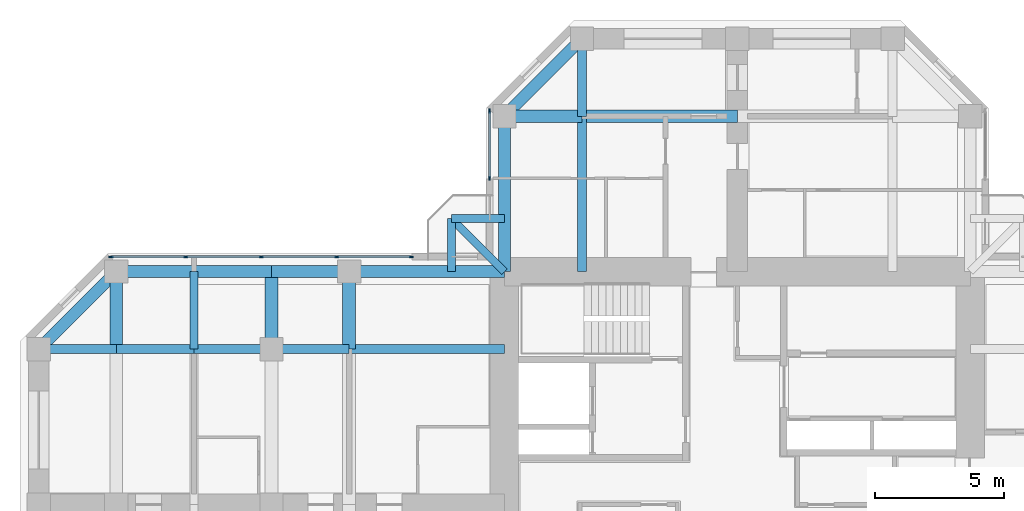
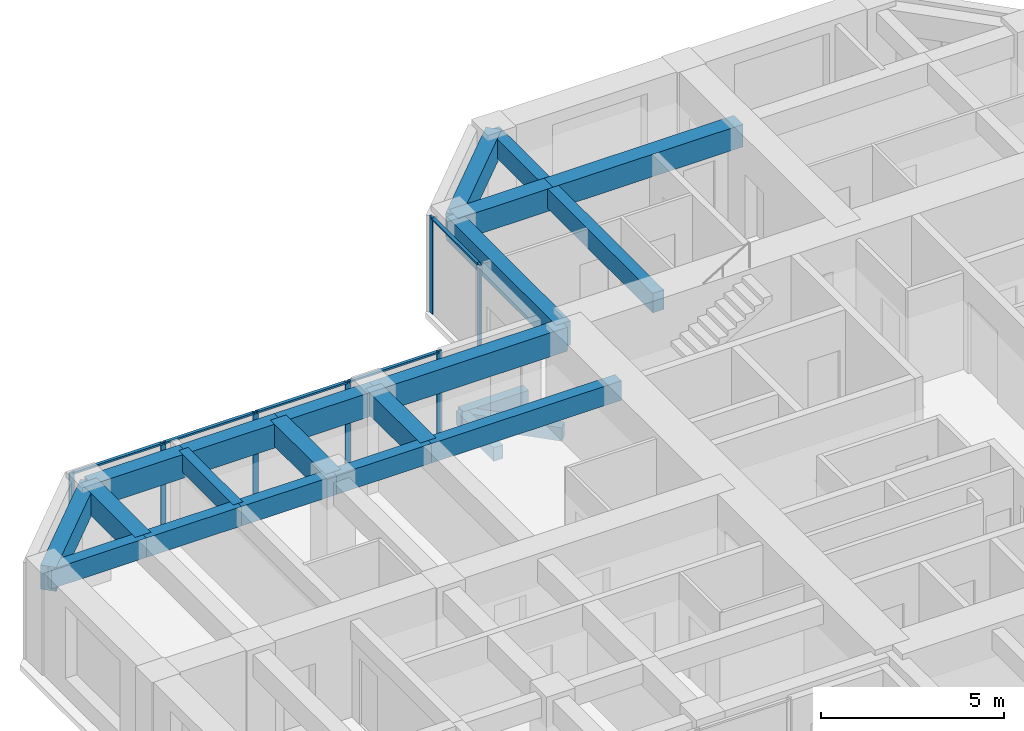
# One storey, part 5 of 14: 23 beams, 12 members, 2 elements without a shape of their own.
"""IFC4 building model written with IfcOpenShell, lengths in metres."""

from ifc_helpers import new_model, si_unit, direction, frame, origin, origin_2d, place, context, subcontext, project, spatial, rectangle, extrude, material, material_profile, profile_set, type_object, element, aggregate, save


model = new_model("IFC4")

# Units and contexts
model_context = context("Model", 3, precision=1e-05, world=origin(), true_north=direction((0.0, 1.0)))
body_context = subcontext(model_context, "Body", "Model", "MODEL_VIEW")
ifc_project = project(units=[si_unit("LENGTHUNIT", "METRE"), si_unit("AREAUNIT", "SQUARE_METRE"), si_unit("VOLUMEUNIT", "CUBIC_METRE"), si_unit("PLANEANGLEUNIT", "RADIAN"), si_unit("MASSUNIT", "GRAM", prefix="KILO")], contexts=[model_context])

# Site, building, storey
site_placement = place(None, origin())
site = spatial("IfcSite", under=ifc_project, at=site_placement, CompositionType="ELEMENT")
building_placement = place(site_placement, origin())
building = spatial("IfcBuilding", under=site, at=building_placement, Name="Torre Cruceta", CompositionType="ELEMENT")
storey_placement = place(building_placement, frame((0.0, 0.0, 206.89990234375)))
storey = spatial("IfcBuildingStorey", under=building, at=storey_placement, Name="L52", CompositionType="ELEMENT", Elevation=206.89990234375)

# Beams
ifc_material_1 = material(Name="Concrete G60 (fck 60 MPa)", Category="concrete")
ifc_material_profile_1 = material_profile(ifc_material_1, rectangle(XDim=0.300048828125, YDim=0.449951171875, at=origin_2d()), Name="RC 300X450")
ifc_profile_set_1 = profile_set([ifc_material_profile_1], Name="Concrete G60 (fck 60 MPa)")
beam_type_1 = type_object("IfcBeamType", Name="BALCONY CANTILEVER BEAM RC 300X450", PredefinedType="BEAM", material=ifc_profile_set_1)
beam_1_placement = place(storey_placement, frame((-9.0, 9.0, -0.40478515625), z_axis=(-0.707106781187, 0.707106781187, 0.0), x_axis=(-0.707106781187, -0.707106781187, 0.0)))
element("IfcBeam", 1, at=beam_1_placement, inside=storey, type_object=beam_type_1, Name="BB1 balcony beam L52 N", PredefinedType="BEAM", context=body_context, shape_type="SweptSolid", body=[
    extrude(rectangle(XDim=0.300048828125, YDim=0.449951171875, at=origin_2d()), origin(), (0.0, 0.0, 1.0), 2.89990234375),
])
for number, where, z_axis, x_axis, name in (
    (2, (-11.050537109375, 9.0, -0.40478515625), (0.0, 1.0, 0.0), (-1.0, 0.0, 0.0), "BB1 balcony edge beam L52 N-X"),
    (3, (-9.0, 11.050537109375, -0.40478515625), (-1.0, 0.0, 0.0), (0.0, -1.0, 0.0), "BB1 balcony edge beam L52 N-Y"),
):
    element("IfcBeam", number, at=place(storey_placement, frame(where, z_axis=z_axis, x_axis=x_axis)), inside=storey, type_object=beam_type_1, Name=name, PredefinedType="BEAM", context=body_context, shape_type="SweptSolid", body=[
        extrude(rectangle(XDim=0.300048828125, YDim=0.449951171875, at=origin_2d()), origin(), (0.0, 0.0, 1.0), 2.050537109375),
    ])
ifc_material_2 = material(Name="Concrete G60 (fck 60 MPa)", Category="concrete")
ifc_material_profile_2 = material_profile(ifc_material_2, rectangle(XDim=0.35009765625, YDim=0.64990234375, at=origin_2d()), Name="RC 350X650")
ifc_profile_set_2 = profile_set([ifc_material_profile_2], Name="Concrete G60 (fck 60 MPa)")
beam_type_2 = type_object("IfcBeamType", Name="COLUMN LINE BEAM RC 350X650", PredefinedType="BEAM", material=ifc_profile_set_2)
beam_2_placement = place(storey_placement, frame((-6.0, 9.0, 2.89501953125), z_axis=(0.0, 1.0, 0.0), x_axis=(-1.0, 0.0, 0.0)))
element("IfcBeam", 4, at=beam_2_placement, inside=storey, type_object=beam_type_2, Name="LB7 L52 N col+ 1", PredefinedType="BEAM", context=body_context, shape_type="SweptSolid", body=[
    extrude(rectangle(XDim=0.35009765625, YDim=0.64990234375, at=origin_2d()), origin(), (0.0, 0.0, 1.0), 6.0),
])
beam_3_placement = place(storey_placement, frame((-6.0, 15.0, 2.89501953125), z_axis=(0.0, 1.0, 0.0), x_axis=(-1.0, 0.0, 0.0)))
element("IfcBeam", 5, at=beam_3_placement, inside=storey, type_object=beam_type_2, Name="LB7 L52 N col+ 2", PredefinedType="BEAM", context=body_context, shape_type="SweptSolid", body=[
    extrude(rectangle(XDim=0.35009765625, YDim=0.64990234375, at=origin_2d()), origin(), (0.0, 0.0, 1.0), 3.0),
])
beam_4_placement = place(storey_placement, frame((-9.0, 6.0, 2.89501953125), z_axis=(-1.0, 0.0, 0.0), x_axis=(0.0, -1.0, 0.0)))
element("IfcBeam", 6, at=beam_4_placement, inside=storey, type_object=beam_type_2, Name="LB7 L52 W col- 1", PredefinedType="BEAM", context=body_context, shape_type="SweptSolid", body=[
    extrude(rectangle(XDim=0.35009765625, YDim=0.64990234375, at=origin_2d()), origin(), (0.0, 0.0, 1.0), 6.0),
])
for number, where, z_axis, x_axis, name in (
    (7, (-15.0, 6.0, 2.89501953125), (-1.0, 0.0, 0.0), (0.0, -1.0, 0.0), "LB7 L52 W col- 2"),
    (8, (-18.0, 6.0, 2.89501953125), (-1.0, 0.0, 0.0), (0.0, -1.0, 0.0), "LB7 L52 W col- 3"),
    (9, (-21.0, 6.0, 2.89501953125), (-1.0, 0.0, 0.0), (0.0, -1.0, 0.0), "LB7 L52 W col- 4"),
    (10, (-24.0, 6.0, 2.89501953125), (-1.0, 0.0, 0.0), (0.0, -1.0, 0.0), "LB7 L52 W col- 5"),
):
    element("IfcBeam", number, at=place(storey_placement, frame(where, z_axis=z_axis, x_axis=x_axis)), inside=storey, type_object=beam_type_2, Name=name, PredefinedType="BEAM", context=body_context, shape_type="SweptSolid", body=[
        extrude(rectangle(XDim=0.35009765625, YDim=0.64990234375, at=origin_2d()), origin(), (0.0, 0.0, 1.0), 3.0),
    ])
ifc_material_3 = material(Name="Concrete G60 (fck 60 MPa)", Category="concrete")
ifc_material_profile_3 = material_profile(ifc_material_3, rectangle(XDim=0.5, YDim=0.75, at=origin_2d()), Name="RC 500X750")
ifc_profile_set_3 = profile_set([ifc_material_profile_3], Name="Concrete G60 (fck 60 MPa)")
beam_type_3 = type_object("IfcBeamType", Name="CROSS BEAM RC 500X750", PredefinedType="BEAM", material=ifc_profile_set_3)
beam_5_placement = place(storey_placement, frame((0.0, 15.0, 2.84521484375), z_axis=(-1.0, 0.0, 0.0), x_axis=(0.0, -1.0, 0.0)))
element("IfcBeam", 11, at=beam_5_placement, inside=storey, type_object=beam_type_3, Name="GB6 L52 N cross15 3", PredefinedType="BEAM", context=body_context, shape_type="SweptSolid", body=[
    extrude(rectangle(XDim=0.5, YDim=0.75, at=origin_2d()), origin(), (0.0, 0.0, 1.0), 6.0),
])
for number, where, z_axis, x_axis, name in (
    (12, (-6.0, 15.0, 2.84521484375), (-1.0, 0.0, 0.0), (0.0, -1.0, 0.0), "GB6 L52 N cross15 4"),
    (13, (-15.0, 9.0, 2.84521484375), (0.0, -1.0, 0.0), (1.0, 0.0, 0.0), "GB6 L52 W cross15 1"),
    (14, (-18.0, 9.0, 2.84521484375), (0.0, -1.0, 0.0), (1.0, 0.0, 0.0), "GB6 L52 W cross18 1"),
    (15, (-24.0, 9.0, 2.84521484375), (0.0, -1.0, 0.0), (1.0, 0.0, 0.0), "GB6 L52 W cross24 1"),
):
    element("IfcBeam", number, at=place(storey_placement, frame(where, z_axis=z_axis, x_axis=x_axis)), inside=storey, type_object=beam_type_3, Name=name, PredefinedType="BEAM", context=body_context, shape_type="SweptSolid", body=[
        extrude(rectangle(XDim=0.5, YDim=0.75, at=origin_2d()), origin(), (0.0, 0.0, 1.0), 3.0),
    ])

# Curtain wall, members
ifc_material_4 = material(Name="Aluminium unitised curtain wall", Category="aluminium")
curtain_wall_type = type_object("IfcCurtainWallType", Name="CURTAIN WALL CW-C CO-LIVING", PredefinedType="USERDEFINED", material=ifc_material_4)
curtain_wall_1_placement = place(storey_placement, origin())
curtain_wall_1 = element("IfcCurtainWall", 16, at=curtain_wall_1_placement, inside=storey, type_object=curtain_wall_type, Name="CW-C L52 N side 09", ObjectType="UNITISED", PredefinedType="USERDEFINED")
ifc_material_5 = material(Name="Aluminium mullion", Category="aluminium")
ifc_material_profile_4 = material_profile(ifc_material_5, rectangle(XDim=0.06005859375, YDim=0.159912109375, at=origin_2d()), Name="AL 60X160")
ifc_profile_set_4 = profile_set([ifc_material_profile_4], Name="Aluminium mullion")
member_type_1 = type_object("IfcMemberType", Name="CW-C MULLION 60X160", PredefinedType="MULLION", material=ifc_profile_set_4)
member_1_placement = place(storey_placement, frame((-9.570068359375, 15.2060546875, 0.0), z_axis=(0.0, 0.0, 1.0), x_axis=(1.0, 0.0, 0.0)))
member_1 = element("IfcMember", 17, at=member_1_placement, type_object=member_type_1, Name="CW-C mullion 1", PredefinedType="MULLION", context=body_context, shape_type="SweptSolid", body=[
    extrude(rectangle(XDim=0.06005859375, YDim=0.159912109375, at=origin_2d()), origin(), (0.0, 0.0, 1.0), 3.22021484375),
])
member_2_placement = place(storey_placement, frame((-9.570068359375, 12.60009765625, 0.0), z_axis=(0.0, 0.0, 1.0), x_axis=(1.0, 0.0, 0.0)))
member_2 = element("IfcMember", 18, at=member_2_placement, type_object=member_type_1, Name="CW-C mullion 2", PredefinedType="MULLION", context=body_context, shape_type="SweptSolid", body=[
    extrude(rectangle(XDim=0.06005859375, YDim=0.159912109375, at=origin_2d()), origin(), (0.0, 0.0, 1.0), 3.22021484375),
])

curtain_wall_2_placement = place(storey_placement, origin())
curtain_wall_2 = element("IfcCurtainWall", 19, at=curtain_wall_2_placement, inside=storey, type_object=curtain_wall_type, Name="CW-C L52 W side 10", ObjectType="UNITISED", PredefinedType="USERDEFINED")
member_3_placement = place(storey_placement, frame((-12.60009765625, 9.570068359375, 0.0), z_axis=(0.0, 0.0, 1.0), x_axis=(0.0, -1.0, 0.0)))
member_3 = element("IfcMember", 20, at=member_3_placement, type_object=member_type_1, Name="CW-C mullion 1", PredefinedType="MULLION", context=body_context, shape_type="SweptSolid", body=[
    extrude(rectangle(XDim=0.06005859375, YDim=0.159912109375, at=origin_2d()), origin(), (0.0, 0.0, 1.0), 3.22021484375),
])
member_4_placement = place(storey_placement, frame((-15.486572265625, 9.570068359375, 0.0), z_axis=(0.0, 0.0, 1.0), x_axis=(0.0, -1.0, 0.0)))
member_4 = element("IfcMember", 21, at=member_4_placement, type_object=member_type_1, Name="CW-C mullion 2", PredefinedType="MULLION", context=body_context, shape_type="SweptSolid", body=[
    extrude(rectangle(XDim=0.06005859375, YDim=0.159912109375, at=origin_2d()), origin(), (0.0, 0.0, 1.0), 3.22021484375),
])
member_5_placement = place(storey_placement, frame((-18.403076171875, 9.570068359375, 0.0), z_axis=(0.0, 0.0, 1.0), x_axis=(0.0, -1.0, 0.0)))
member_5 = element("IfcMember", 22, at=member_5_placement, type_object=member_type_1, Name="CW-C mullion 3", PredefinedType="MULLION", context=body_context, shape_type="SweptSolid", body=[
    extrude(rectangle(XDim=0.06005859375, YDim=0.159912109375, at=origin_2d()), origin(), (0.0, 0.0, 1.0), 3.22021484375),
])
member_6_placement = place(storey_placement, frame((-21.319580078125, 9.570068359375, 0.0), z_axis=(0.0, 0.0, 1.0), x_axis=(0.0, -1.0, 0.0)))
member_6 = element("IfcMember", 23, at=member_6_placement, type_object=member_type_1, Name="CW-C mullion 4", PredefinedType="MULLION", context=body_context, shape_type="SweptSolid", body=[
    extrude(rectangle(XDim=0.06005859375, YDim=0.159912109375, at=origin_2d()), origin(), (0.0, 0.0, 1.0), 3.22021484375),
])
member_7_placement = place(storey_placement, frame((-24.2060546875, 9.570068359375, 0.0), z_axis=(0.0, 0.0, 1.0), x_axis=(0.0, -1.0, 0.0)))
member_7 = element("IfcMember", 24, at=member_7_placement, type_object=member_type_1, Name="CW-C mullion 5", PredefinedType="MULLION", context=body_context, shape_type="SweptSolid", body=[
    extrude(rectangle(XDim=0.06005859375, YDim=0.159912109375, at=origin_2d()), origin(), (0.0, 0.0, 1.0), 3.22021484375),
])

# Member
ifc_material_6 = material(Name="Aluminium transom", Category="aluminium")
ifc_material_profile_5 = material_profile(ifc_material_6, rectangle(XDim=0.10009765625, YDim=0.06005859375, at=origin_2d()), Name="AL 100X60")
ifc_profile_set_5 = profile_set([ifc_material_profile_5], Name="Aluminium transom")
member_type_2 = type_object("IfcMemberType", Name="CW-C TRANSOM 60X100", PredefinedType="USERDEFINED", material=ifc_profile_set_5)
member_8_placement = place(storey_placement, frame((-9.570068359375, 15.176025390625, 3.190185546875), z_axis=(0.0, -1.0, 0.0), x_axis=(1.0, 0.0, 0.0)))
member_8 = element("IfcMember", 25, at=member_8_placement, type_object=member_type_2, Name="CW-C transom 1", ObjectType="TRANSOM", PredefinedType="USERDEFINED", context=body_context, shape_type="SweptSolid", body=[
    extrude(rectangle(XDim=0.10009765625, YDim=0.06005859375, at=origin_2d()), origin(), (0.0, 0.0, 1.0), 2.546142578125),
])

aggregate(curtain_wall_1, [member_1, member_2, member_8])

member_9_placement = place(storey_placement, frame((-12.6298828125, 9.570068359375, 3.190185546875), z_axis=(-1.0, 0.0, 0.0), x_axis=(0.0, -1.0, 0.0)))
member_9 = element("IfcMember", 26, at=member_9_placement, type_object=member_type_2, Name="CW-C transom 1", ObjectType="TRANSOM", PredefinedType="USERDEFINED", context=body_context, shape_type="SweptSolid", body=[
    extrude(rectangle(XDim=0.10009765625, YDim=0.06005859375, at=origin_2d()), origin(), (0.0, 0.0, 1.0), 2.82666015625),
])

member_10_placement = place(storey_placement, frame((-15.5166015625, 9.570068359375, 3.190185546875), z_axis=(-1.0, 0.0, 0.0), x_axis=(0.0, -1.0, 0.0)))
member_10 = element("IfcMember", 27, at=member_10_placement, type_object=member_type_2, Name="CW-C transom 2", ObjectType="TRANSOM", PredefinedType="USERDEFINED", context=body_context, shape_type="SweptSolid", body=[
    extrude(rectangle(XDim=0.10009765625, YDim=0.06005859375, at=origin_2d()), origin(), (0.0, 0.0, 1.0), 2.8564453125),
])

member_11_placement = place(storey_placement, frame((-18.43310546875, 9.570068359375, 3.190185546875), z_axis=(-1.0, 0.0, 0.0), x_axis=(0.0, -1.0, 0.0)))
member_11 = element("IfcMember", 28, at=member_11_placement, type_object=member_type_2, Name="CW-C transom 3", ObjectType="TRANSOM", PredefinedType="USERDEFINED", context=body_context, shape_type="SweptSolid", body=[
    extrude(rectangle(XDim=0.10009765625, YDim=0.06005859375, at=origin_2d()), origin(), (0.0, 0.0, 1.0), 2.8564453125),
])

member_12_placement = place(storey_placement, frame((-21.349609375, 9.570068359375, 3.190185546875), z_axis=(-1.0, 0.0, 0.0), x_axis=(0.0, -1.0, 0.0)))
member_12 = element("IfcMember", 29, at=member_12_placement, type_object=member_type_2, Name="CW-C transom 4", ObjectType="TRANSOM", PredefinedType="USERDEFINED", context=body_context, shape_type="SweptSolid", body=[
    extrude(rectangle(XDim=0.10009765625, YDim=0.06005859375, at=origin_2d()), origin(), (0.0, 0.0, 1.0), 2.826416015625),
])

aggregate(curtain_wall_2, [member_3, member_4, member_5, member_6, member_7, member_9, member_10, member_11, member_12])

# Beams
ifc_material_7 = material(Name="Concrete G60 (fck 60 MPa)", Category="concrete")
ifc_material_profile_6 = material_profile(ifc_material_7, rectangle(XDim=0.300048828125, YDim=0.60009765625, at=origin_2d()), Name="RC 300X600")
ifc_profile_set_6 = profile_set([ifc_material_profile_6], Name="Concrete G60 (fck 60 MPa)")
beam_type_4 = type_object("IfcBeamType", Name="SECONDARY BEAM RC 300X600", PredefinedType="JOIST", material=ifc_profile_set_6)
beam_6_placement = place(storey_placement, frame((-21.0, 9.0, 2.920166015625), z_axis=(0.0, -1.0, 0.0), x_axis=(1.0, 0.0, 0.0)))
element("IfcBeam", 30, at=beam_6_placement, inside=storey, type_object=beam_type_4, Name="JB6 L52 W sec21 1", PredefinedType="JOIST", context=body_context, shape_type="SweptSolid", body=[
    extrude(rectangle(XDim=0.300048828125, YDim=0.60009765625, at=origin_2d()), origin(), (0.0, 0.0, 1.0), 3.0),
])
ifc_material_8 = material(Name="Concrete G60 (fck 60 MPa)", Category="concrete")
ifc_material_profile_7 = material_profile(ifc_material_8, rectangle(XDim=0.449951171875, YDim=0.800048828125, at=origin_2d()), Name="RC 450X800")
ifc_profile_set_7 = profile_set([ifc_material_profile_7], Name="Concrete G60 (fck 60 MPa)")
beam_type_5 = type_object("IfcBeamType", Name="SPANDREL BEAM RC 450X800", PredefinedType="SPANDREL", material=ifc_profile_set_7)
beam_7_placement = place(storey_placement, frame((-9.0, 9.0, 2.820068359375), z_axis=(0.0, 1.0, 0.0), x_axis=(-1.0, 0.0, 0.0)))
element("IfcBeam", 31, at=beam_7_placement, inside=storey, type_object=beam_type_5, Name="SB6 L52 N side+ 1", PredefinedType="SPANDREL", context=body_context, shape_type="SweptSolid", body=[
    extrude(rectangle(XDim=0.449951171875, YDim=0.800048828125, at=origin_2d()), origin(), (0.0, 0.0, 1.0), 6.0),
])
beam_8_placement = place(storey_placement, frame((-9.0, 15.0, 2.820068359375), z_axis=(0.707106781187, 0.707106781187, 0.0), x_axis=(-0.707106781187, 0.707106781187, 0.0)))
element("IfcBeam", 32, at=beam_8_placement, inside=storey, type_object=beam_type_5, Name="SB6 L52 N side+ 2", PredefinedType="SPANDREL", context=body_context, shape_type="SweptSolid", body=[
    extrude(rectangle(XDim=0.449951171875, YDim=0.800048828125, at=origin_2d()), origin(), (0.0, 0.0, 1.0), 4.24267578125),
])
beam_9_placement = place(storey_placement, frame((-9.0, 9.0, 2.820068359375), z_axis=(-1.0, 0.0, 0.0), x_axis=(0.0, -1.0, 0.0)))
element("IfcBeam", 33, at=beam_9_placement, inside=storey, type_object=beam_type_5, Name="SB6 L52 W side- 1", PredefinedType="SPANDREL", context=body_context, shape_type="SweptSolid", body=[
    extrude(rectangle(XDim=0.449951171875, YDim=0.800048828125, at=origin_2d()), origin(), (0.0, 0.0, 1.0), 6.0),
])
for number, where, z_axis, x_axis, name in (
    (34, (-15.0, 9.0, 2.820068359375), (-1.0, 0.0, 0.0), (0.0, -1.0, 0.0), "SB6 L52 W side- 2"),
    (35, (-18.0, 9.0, 2.820068359375), (-1.0, 0.0, 0.0), (0.0, -1.0, 0.0), "SB6 L52 W side- 3"),
    (36, (-21.0, 9.0, 2.820068359375), (-1.0, 0.0, 0.0), (0.0, -1.0, 0.0), "SB6 L52 W side- 4"),
):
    element("IfcBeam", number, at=place(storey_placement, frame(where, z_axis=z_axis, x_axis=x_axis)), inside=storey, type_object=beam_type_5, Name=name, PredefinedType="SPANDREL", context=body_context, shape_type="SweptSolid", body=[
        extrude(rectangle(XDim=0.449951171875, YDim=0.800048828125, at=origin_2d()), origin(), (0.0, 0.0, 1.0), 3.0),
    ])
beam_10_placement = place(storey_placement, frame((-24.0, 9.0, 2.820068359375), z_axis=(-0.707106781187, -0.707106781187, 0.0), x_axis=(0.707106781187, -0.707106781187, 0.0)))
element("IfcBeam", 37, at=beam_10_placement, inside=storey, type_object=beam_type_5, Name="SB6 L52 W side- 5", PredefinedType="SPANDREL", context=body_context, shape_type="SweptSolid", body=[
    extrude(rectangle(XDim=0.449951171875, YDim=0.800048828125, at=origin_2d()), origin(), (0.0, 0.0, 1.0), 4.24267578125),
])

save(model, "model.ifc")
